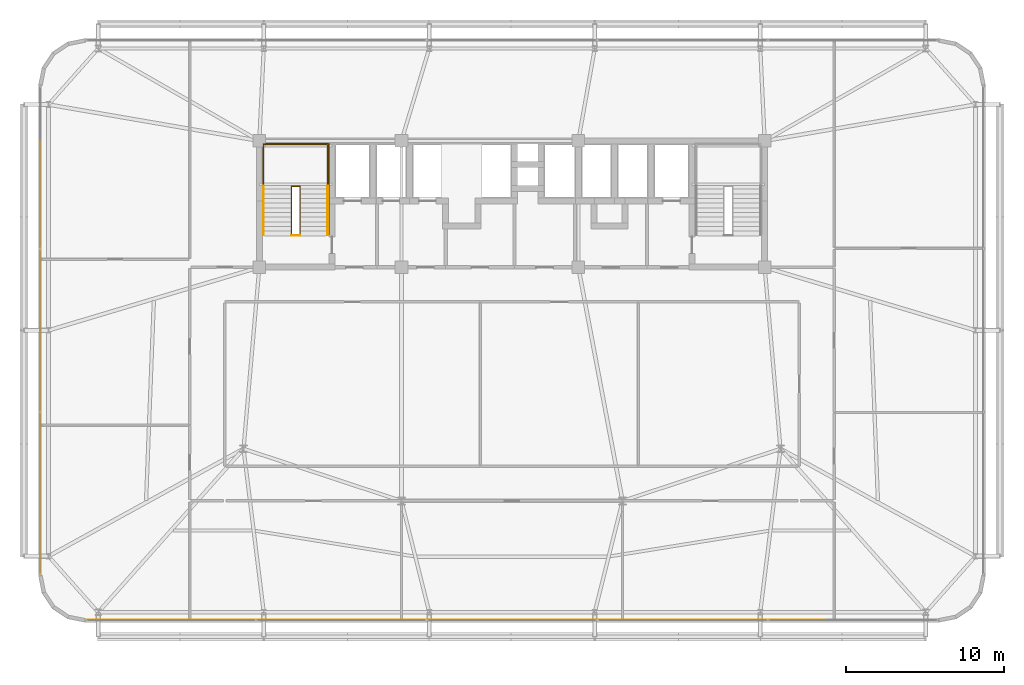
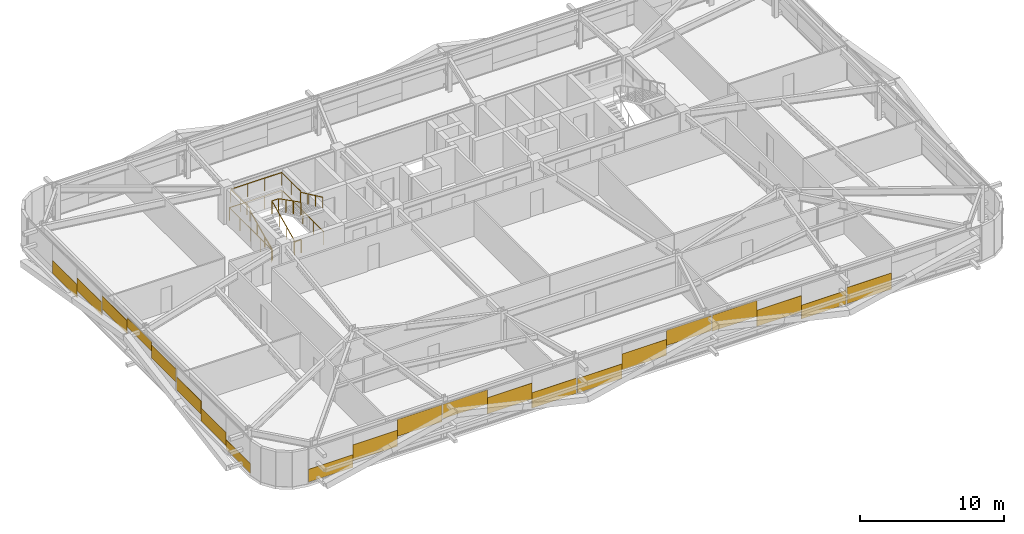
# One storey, part 42 of 44: 21 coverings, 6 railings.
"""IFC4 building model written with IfcOpenShell, lengths in metres."""

from ifc_helpers import new_model, si_unit, direction, frame, origin, origin_2d, place, context, subcontext, project, spatial, rectangle, extrude, source, transform, mapped, material, layer, layer_set, type_object, element, save


model = new_model("IFC4")

# Units and contexts
model_context = context("Model", 3, precision=1e-05, world=origin(), true_north=direction((0.0, 1.0)))
body_context = subcontext(model_context, "Body", "Model", "MODEL_VIEW")
ifc_project = project(units=[si_unit("LENGTHUNIT", "METRE"), si_unit("AREAUNIT", "SQUARE_METRE"), si_unit("VOLUMEUNIT", "CUBIC_METRE"), si_unit("PLANEANGLEUNIT", "RADIAN"), si_unit("MASSUNIT", "GRAM", prefix="KILO")], contexts=[model_context])

# Site, building, storey
site_placement = place(None, origin())
site = spatial("IfcSite", under=ifc_project, at=site_placement, CompositionType="ELEMENT")
building_placement = place(site_placement, origin())
building = spatial("IfcBuilding", under=site, at=building_placement, Name="Taldren Reach Tower", CompositionType="ELEMENT")
storey_placement = place(building_placement, frame((0.0, 0.0, 42.0)))
storey = spatial("IfcBuildingStorey", under=building, at=storey_placement, Name="L12", CompositionType="ELEMENT", Elevation=42.0)

# Railings
ifc_material_1 = material(Name="Steel Gr 350 (C350L0)", Category="steel")
ifc_layer_1 = layer(ifc_material_1, 0.050048828125)
ifc_layer_set_1 = layer_set([ifc_layer_1], Name="Steel Gr 350 (C350L0)")
railing_type_1 = type_object("IfcRailingType", Name="RL-STAIR-GR", PredefinedType="GUARDRAIL", material=ifc_layer_set_1)
railing_1_placement = place(storey_placement, frame((19.260009765625, 29.135009765625, 1.574951171875)))
element("IfcRailing", 1, at=railing_1_placement, inside=storey, type_object=railing_type_1, Name="Stair half-landing perimeter guard ST1-L12", PredefinedType="GUARDRAIL", context=body_context, shape_type="SweptSolid", body=[
    extrude(rectangle(XDim=0.047852, YDim=0.047852, at=origin_2d()), frame((0.0, 0.0, 1.09619140625), z_axis=(0.0, 1.0, 0.0), x_axis=(-1.0, 0.0, 0.0)), (0.0, 0.0, 1.0), 2.64501953125),
    extrude(rectangle(XDim=0.047852, YDim=0.047852, at=origin_2d()), frame((0.0, 2.64501953125, 1.09619140625), z_axis=(1.0, 0.0, 0.0), x_axis=(0.0, 1.0, 0.0)), (0.0, 0.0, 1.0), 4.080078125),
    extrude(rectangle(XDim=0.047852, YDim=0.047852, at=origin_2d()), frame((4.080078125, 2.64501953125, 1.09619140625), z_axis=(0.0, -1.0, 0.0), x_axis=(1.0, 0.0, 0.0)), (0.0, 0.0, 1.0), 2.64501953125),
    extrude(rectangle(XDim=0.041992, YDim=0.041992, at=origin_2d()), origin(), (0.0, 0.0, 1.0), 1.072021484375),
    extrude(rectangle(XDim=0.041992, YDim=0.041992, at=origin_2d()), frame((0.0, 1.322509765625, 0.0)), (0.0, 0.0, 1.0), 1.072021484375),
    extrude(rectangle(XDim=0.041992, YDim=0.041992, at=origin_2d()), frame((0.0, 2.64501953125, 0.0)), (0.0, 0.0, 1.0), 1.072021484375),
    extrude(rectangle(XDim=0.041992, YDim=0.041992, at=origin_2d()), frame((1.360107421875, 2.64501953125, 0.0)), (0.0, 0.0, 1.0), 1.072021484375),
    extrude(rectangle(XDim=0.041992, YDim=0.041992, at=origin_2d()), frame((2.719970703125, 2.64501953125, 0.0)), (0.0, 0.0, 1.0), 1.072021484375),
    extrude(rectangle(XDim=0.041992, YDim=0.041992, at=origin_2d()), frame((4.080078125, 2.64501953125, 0.0)), (0.0, 0.0, 1.0), 1.072021484375),
    extrude(rectangle(XDim=0.041992, YDim=0.041992, at=origin_2d()), frame((4.080078125, 1.322509765625, 0.0)), (0.0, 0.0, 1.0), 1.072021484375),
    extrude(rectangle(XDim=0.041992, YDim=0.041992, at=origin_2d()), frame((4.080078125, 0.0, 0.0)), (0.0, 0.0, 1.0), 1.072021484375),
])
railing_2_placement = place(storey_placement, frame((21.030029296875, 26.050048828125, 0.13134765625)))
element("IfcRailing", 2, at=railing_2_placement, inside=storey, type_object=railing_type_1, Name="Stairwell inner guard ST1-L12", PredefinedType="GUARDRAIL", context=body_context, shape_type="SweptSolid", body=[
    extrude(rectangle(XDim=0.047852, YDim=0.047852, at=origin_2d()), frame((0.0, 0.0, 1.09619140625), z_axis=(0.0, 0.905737652094, 0.423838773095), x_axis=(-1.0, 0.0, 0.0)), (0.0, 0.0, 1.0), 3.406005859375),
    extrude(rectangle(XDim=0.047852, YDim=0.047852, at=origin_2d()), frame((0.0, 3.0849609375, 2.53955078125), z_axis=(1.0, 0.0, 0.0), x_axis=(0.0, 1.0, 0.0)), (0.0, 0.0, 1.0), 0.5400390625),
    extrude(rectangle(XDim=0.047852, YDim=0.047852, at=origin_2d()), frame((0.5400390625, 3.0849609375, 2.53955078125), z_axis=(0.0, -0.890645957773, 0.45469745755), x_axis=(1.0, 0.0, 0.0)), (0.0, 0.0, 1.0), 3.463623046875),
    extrude(rectangle(XDim=0.041992, YDim=0.041992, at=origin_2d()), origin(), (0.0, 0.0, 1.0), 1.072021484375),
    extrude(rectangle(XDim=0.041992, YDim=0.041992, at=origin_2d()), frame((0.0, 1.0283203125, 0.481201171875)), (0.0, 0.0, 1.0), 1.072021484375),
    extrude(rectangle(XDim=0.041992, YDim=0.041992, at=origin_2d()), frame((0.0, 2.056640625, 0.96240234375)), (0.0, 0.0, 1.0), 1.072021484375),
    extrude(rectangle(XDim=0.041992, YDim=0.041992, at=origin_2d()), frame((0.0, 3.0849609375, 1.443603515625)), (0.0, 0.0, 1.0), 1.072021484375),
    extrude(rectangle(XDim=0.041992, YDim=0.041992, at=origin_2d()), frame((0.5400390625, 3.0849609375, 1.443603515625)), (0.0, 0.0, 1.0), 1.072021484375),
    extrude(rectangle(XDim=0.041992, YDim=0.041992, at=origin_2d()), frame((0.5400390625, 2.056640625, 1.968505859375)), (0.0, 0.0, 1.0), 1.072021484375),
    extrude(rectangle(XDim=0.041992, YDim=0.041992, at=origin_2d()), frame((0.5400390625, 1.0283203125, 2.49365234375)), (0.0, 0.0, 1.0), 1.072021484375),
    extrude(rectangle(XDim=0.041992, YDim=0.041992, at=origin_2d()), frame((0.5400390625, 0.0, 3.0185546875)), (0.0, 0.0, 1.0), 1.072021484375),
])
railing_3_placement = place(storey_placement, frame((21.030029296875, 26.010009765625, 0.0)))
element("IfcRailing", 3, at=railing_3_placement, inside=storey, type_object=railing_type_1, Name="Stairwell landing slot guard ST1-L12", PredefinedType="GUARDRAIL", context=body_context, shape_type="SweptSolid", body=[
    extrude(rectangle(XDim=0.047852, YDim=0.047852, at=origin_2d()), frame((0.0, 0.0, 1.09619140625), z_axis=(1.0, 0.0, 0.0), x_axis=(0.0, 1.0, 0.0)), (0.0, 0.0, 1.0), 0.5400390625),
    extrude(rectangle(XDim=0.041992, YDim=0.041992, at=origin_2d()), origin(), (0.0, 0.0, 1.0), 1.072021484375),
    extrude(rectangle(XDim=0.041992, YDim=0.041992, at=origin_2d()), frame((0.5400390625, 0.0, 0.0)), (0.0, 0.0, 1.0), 1.072021484375),
])
railing_4_placement = place(storey_placement, frame((19.18994140625, 26.050048828125, 0.0)))
element("IfcRailing", 4, at=railing_4_placement, inside=storey, type_object=railing_type_1, Name="Stairwell floor opening guard ST1-L12", PredefinedType="GUARDRAIL", context=body_context, shape_type="SweptSolid", body=[
    extrude(rectangle(XDim=0.047852, YDim=0.047852, at=origin_2d()), frame((0.0, 0.0, 1.09619140625), z_axis=(0.0, 1.0, 0.0), x_axis=(-1.0, 0.0, 0.0)), (0.0, 0.0, 1.0), 5.800048828125),
    extrude(rectangle(XDim=0.047852, YDim=0.047852, at=origin_2d()), frame((0.0, 5.800048828125, 1.09619140625), z_axis=(1.0, 0.0, 0.0), x_axis=(0.0, 1.0, 0.0)), (0.0, 0.0, 1.0), 4.219970703125),
    extrude(rectangle(XDim=0.047852, YDim=0.047852, at=origin_2d()), frame((4.219970703125, 5.800048828125, 1.09619140625), z_axis=(0.0, -1.0, 0.0), x_axis=(1.0, 0.0, 0.0)), (0.0, 0.0, 1.0), 5.800048828125),
    extrude(rectangle(XDim=0.041992, YDim=0.041992, at=origin_2d()), origin(), (0.0, 0.0, 1.0), 1.072021484375),
    extrude(rectangle(XDim=0.041992, YDim=0.041992, at=origin_2d()), frame((0.0, 1.449951171875, 0.0)), (0.0, 0.0, 1.0), 1.072021484375),
    extrude(rectangle(XDim=0.041992, YDim=0.041992, at=origin_2d()), frame((0.0, 2.89990234375, 0.0)), (0.0, 0.0, 1.0), 1.072021484375),
    extrude(rectangle(XDim=0.041992, YDim=0.041992, at=origin_2d()), frame((0.0, 4.35009765625, 0.0)), (0.0, 0.0, 1.0), 1.072021484375),
    extrude(rectangle(XDim=0.041992, YDim=0.041992, at=origin_2d()), frame((0.0, 5.800048828125, 0.0)), (0.0, 0.0, 1.0), 1.072021484375),
    extrude(rectangle(XDim=0.041992, YDim=0.041992, at=origin_2d()), frame((1.40673828125, 5.800048828125, 0.0)), (0.0, 0.0, 1.0), 1.072021484375),
    extrude(rectangle(XDim=0.041992, YDim=0.041992, at=origin_2d()), frame((2.813232421875, 5.800048828125, 0.0)), (0.0, 0.0, 1.0), 1.072021484375),
    extrude(rectangle(XDim=0.041992, YDim=0.041992, at=origin_2d()), frame((4.219970703125, 5.800048828125, 0.0)), (0.0, 0.0, 1.0), 1.072021484375),
    extrude(rectangle(XDim=0.041992, YDim=0.041992, at=origin_2d()), frame((4.219970703125, 4.35009765625, 0.0)), (0.0, 0.0, 1.0), 1.072021484375),
    extrude(rectangle(XDim=0.041992, YDim=0.041992, at=origin_2d()), frame((4.219970703125, 2.89990234375, 0.0)), (0.0, 0.0, 1.0), 1.072021484375),
    extrude(rectangle(XDim=0.041992, YDim=0.041992, at=origin_2d()), frame((4.219970703125, 1.449951171875, 0.0)), (0.0, 0.0, 1.0), 1.072021484375),
    extrude(rectangle(XDim=0.041992, YDim=0.041992, at=origin_2d()), frame((4.219970703125, 0.0, 0.0)), (0.0, 0.0, 1.0), 1.072021484375),
])
ifc_material_2 = material(Name="Stainless Steel Gr 316", Category="steel")
ifc_layer_2 = layer(ifc_material_2, 0.048095703125)
ifc_layer_set_2 = layer_set([ifc_layer_2], Name="Stainless Steel Gr 316")
railing_type_2 = type_object("IfcRailingType", Name="RL-STAIR-HR", PredefinedType="HANDRAIL", material=ifc_layer_set_2)
railing_5_placement = place(storey_placement, frame((19.27001953125, 26.050048828125, 0.13134765625)))
element("IfcRailing", 5, at=railing_5_placement, inside=storey, type_object=railing_type_2, Name="Stair flight handrail ST1-L12-1", PredefinedType="HANDRAIL", context=body_context, shape_type="SweptSolid", body=[
    extrude(rectangle(XDim=0.047852, YDim=0.047852, at=origin_2d()), frame((0.0, 0.0, 0.89599609375), z_axis=(0.0, 0.905737652094, 0.423838773095), x_axis=(-1.0, 0.0, 0.0)), (0.0, 0.0, 1.0), 3.406005859375),
    extrude(rectangle(XDim=0.041992, YDim=0.041992, at=origin_2d()), origin(), (0.0, 0.0, 1.0), 0.871826171875),
    extrude(rectangle(XDim=0.041992, YDim=0.041992, at=origin_2d()), frame((0.0, 1.0283203125, 0.481201171875)), (0.0, 0.0, 1.0), 0.871826171875),
    extrude(rectangle(XDim=0.041992, YDim=0.041992, at=origin_2d()), frame((0.0, 2.056640625, 0.96240234375)), (0.0, 0.0, 1.0), 0.871826171875),
    extrude(rectangle(XDim=0.041992, YDim=0.041992, at=origin_2d()), frame((0.0, 3.0849609375, 1.443603515625)), (0.0, 0.0, 1.0), 0.871826171875),
])
railing_6_placement = place(storey_placement, frame((23.330078125, 29.135009765625, 1.706298828125)))
element("IfcRailing", 6, at=railing_6_placement, inside=storey, type_object=railing_type_2, Name="Stair flight handrail ST1-L12-2", PredefinedType="HANDRAIL", context=body_context, shape_type="SweptSolid", body=[
    extrude(rectangle(XDim=0.047852, YDim=0.047852, at=origin_2d()), frame((0.0, 0.0, 0.89599609375), z_axis=(0.0, -0.905737652094, 0.423838773095), x_axis=(1.0, 0.0, 0.0)), (0.0, 0.0, 1.0), 3.406005859375),
    extrude(rectangle(XDim=0.041992, YDim=0.041992, at=origin_2d()), origin(), (0.0, 0.0, 1.0), 0.871826171875),
    extrude(rectangle(XDim=0.041992, YDim=0.041992, at=origin_2d()), frame((0.0, -1.0283203125, 0.481201171875)), (0.0, 0.0, 1.0), 0.871826171875),
    extrude(rectangle(XDim=0.041992, YDim=0.041992, at=origin_2d()), frame((0.0, -2.056640625, 0.96240234375)), (0.0, 0.0, 1.0), 0.871826171875),
    extrude(rectangle(XDim=0.041992, YDim=0.041992, at=origin_2d()), frame((0.0, -3.0849609375, 1.443603515625)), (0.0, 0.0, 1.0), 0.871826171875),
])

# Coverings
ifc_material_3 = material(Name="Pale Champagne Fluoropolymer Aluminium Spandrel Cladding", Category="aluminium")
ifc_layer_3 = layer(ifc_material_3, 0.0439453125)
ifc_layer_set_3 = layer_set([ifc_layer_3], Name="Pale Champagne Fluoropolymer Aluminium Spandrel Cladding")
covering_type = type_object("IfcCoveringType", Name="CV-CLAD-044", PredefinedType="CLADDING", material=ifc_layer_set_3)
shared_shape_1 = source(origin(), body_context, "Body", "SweptSolid", [
    extrude(rectangle(XDim=3.5673828125, YDim=0.0439453125, at=origin_2d()), origin(), (0.0, 0.0, 1.0), 1.088623046875),
])
covering_1_placement = place(storey_placement, frame((9.8486328125, 1.639892578125, 0.05517578125), z_axis=(0.0, 0.0, 1.0), x_axis=(1.0, 0.0, 0.0)))
element("IfcCovering", 7, at=covering_1_placement, inside=storey, type_object=covering_type, Name="Diagrid closure cladding strip CW-2 panel 1.1 1", PredefinedType="CLADDING", context=body_context, shape_type="MappedRepresentation", body=[
    mapped(shared_shape_1, transform((0.0, 0.0, 0.0), scale=1.0)),
])
shared_shape_2 = source(origin(), body_context, "Body", "SweptSolid", [
    extrude(rectangle(XDim=3.5673828125, YDim=0.0439453125, at=origin_2d()), origin(), (0.0, 0.0, 1.0), 1.36083984375),
])
covering_2_placement = place(storey_placement, frame((13.416259765625, 1.639892578125, 0.60986328125), z_axis=(0.0, 0.0, 1.0), x_axis=(1.0, 0.0, 0.0)))
element("IfcCovering", 8, at=covering_2_placement, inside=storey, type_object=covering_type, Name="Diagrid closure cladding strip CW-2 panel 1.1 2", PredefinedType="CLADDING", context=body_context, shape_type="MappedRepresentation", body=[
    mapped(shared_shape_2, transform((0.0, 0.0, 0.0), scale=1.0)),
])
shared_shape_3 = source(origin(), body_context, "Body", "SweptSolid", [
    extrude(rectangle(XDim=3.5673828125, YDim=0.0439453125, at=origin_2d()), origin(), (0.0, 0.0, 1.0), 1.437744140625),
])
covering_3_placement = place(storey_placement, frame((16.983642578125, 1.639892578125, 1.43701171875), z_axis=(0.0, 0.0, 1.0), x_axis=(1.0, 0.0, 0.0)))
element("IfcCovering", 9, at=covering_3_placement, inside=storey, type_object=covering_type, Name="Diagrid closure cladding strip CW-2 panel 1.1 3", PredefinedType="CLADDING", context=body_context, shape_type="MappedRepresentation", body=[
    mapped(shared_shape_3, transform((0.0, 0.0, 0.0), scale=1.0)),
])
shared_shape_4 = source(origin(), body_context, "Body", "SweptSolid", [
    extrude(rectangle(XDim=3.578369140625, YDim=0.0439453125, at=origin_2d()), origin(), (0.0, 0.0, 1.0), 1.2177734375),
])
covering_4_placement = place(storey_placement, frame((20.62158203125, 1.639892578125, 1.6572265625), z_axis=(0.0, 0.0, 1.0), x_axis=(1.0, 0.0, 0.0)))
element("IfcCovering", 10, at=covering_4_placement, inside=storey, type_object=covering_type, Name="Diagrid closure cladding strip CW-2 panel 2.1 1", PredefinedType="CLADDING", context=body_context, shape_type="MappedRepresentation", body=[
    mapped(shared_shape_4, transform((0.0, 0.0, 0.0), scale=1.0)),
])
shared_shape_5 = source(origin(), body_context, "Body", "SweptSolid", [
    extrude(rectangle(XDim=3.578369140625, YDim=0.0439453125, at=origin_2d()), origin(), (0.0, 0.0, 1.0), 1.36328125),
])
for number, where, z_axis, x_axis, name in (
    (11, (24.199951171875, 1.639892578125, 0.82763671875), (0.0, 0.0, 1.0), (1.0, 0.0, 0.0), "Diagrid closure cladding strip CW-2 panel 2.1 2"),
    (12, (35.0, 1.639892578125, 0.75341796875), (0.0, 0.0, 1.0), (1.0, 0.0, 0.0), "Diagrid closure cladding strip CW-2 panel 3.1 2"),
    (13, (45.800048828125, 1.639892578125, 0.67919921875), (0.0, 0.0, 1.0), (1.0, 0.0, 0.0), "Diagrid closure cladding strip CW-2 panel 4.1 2"),
):
    element("IfcCovering", number, at=place(storey_placement, frame(where, z_axis=z_axis, x_axis=x_axis)), inside=storey, type_object=covering_type, Name=name, PredefinedType="CLADDING", context=body_context, shape_type="MappedRepresentation", body=[
        mapped(shared_shape_5, transform((0.0, 0.0, 0.0), scale=1.0)),
    ])
shared_shape_6 = source(origin(), body_context, "Body", "SweptSolid", [
    extrude(rectangle(XDim=3.578369140625, YDim=0.0439453125, at=origin_2d()), origin(), (0.0, 0.0, 1.0), 1.30615234375),
])
covering_5_placement = place(storey_placement, frame((27.7783203125, 1.639892578125, 0.054931640625), z_axis=(0.0, 0.0, 1.0), x_axis=(1.0, 0.0, 0.0)))
element("IfcCovering", 14, at=covering_5_placement, inside=storey, type_object=covering_type, Name="Diagrid closure cladding strip CW-2 panel 2.1 3", PredefinedType="CLADDING", context=body_context, shape_type="MappedRepresentation", body=[
    mapped(shared_shape_6, transform((0.0, 0.0, 0.0), scale=1.0)),
])
shared_shape_7 = source(origin(), body_context, "Body", "SweptSolid", [
    extrude(rectangle(XDim=3.578369140625, YDim=0.0439453125, at=origin_2d()), origin(), (0.0, 0.0, 1.0), 1.23193359375),
])
covering_6_placement = place(storey_placement, frame((31.421630859375, 1.639892578125, 0.054931640625), z_axis=(0.0, 0.0, 1.0), x_axis=(1.0, 0.0, 0.0)))
element("IfcCovering", 15, at=covering_6_placement, inside=storey, type_object=covering_type, Name="Diagrid closure cladding strip CW-2 panel 3.1 1", PredefinedType="CLADDING", context=body_context, shape_type="MappedRepresentation", body=[
    mapped(shared_shape_7, transform((0.0, 0.0, 0.0), scale=1.0)),
])
shared_shape_8 = source(origin(), body_context, "Body", "SweptSolid", [
    extrude(rectangle(XDim=3.578369140625, YDim=0.0439453125, at=origin_2d()), origin(), (0.0, 0.0, 1.0), 1.2919921875),
])
covering_7_placement = place(storey_placement, frame((38.578369140625, 1.639892578125, 1.5830078125), z_axis=(0.0, 0.0, 1.0), x_axis=(1.0, 0.0, 0.0)))
element("IfcCovering", 16, at=covering_7_placement, inside=storey, type_object=covering_type, Name="Diagrid closure cladding strip CW-2 panel 3.1 3", PredefinedType="CLADDING", context=body_context, shape_type="MappedRepresentation", body=[
    mapped(shared_shape_8, transform((0.0, 0.0, 0.0), scale=1.0)),
])
shared_shape_9 = source(origin(), body_context, "Body", "SweptSolid", [
    extrude(rectangle(XDim=3.578369140625, YDim=0.0439453125, at=origin_2d()), origin(), (0.0, 0.0, 1.0), 1.3662109375),
])
covering_8_placement = place(storey_placement, frame((42.2216796875, 1.639892578125, 1.5087890625), z_axis=(0.0, 0.0, 1.0), x_axis=(1.0, 0.0, 0.0)))
element("IfcCovering", 17, at=covering_8_placement, inside=storey, type_object=covering_type, Name="Diagrid closure cladding strip CW-2 panel 4.1 1", PredefinedType="CLADDING", context=body_context, shape_type="MappedRepresentation", body=[
    mapped(shared_shape_9, transform((0.0, 0.0, 0.0), scale=1.0)),
])
shared_shape_10 = source(origin(), body_context, "Body", "SweptSolid", [
    extrude(rectangle(XDim=3.578369140625, YDim=0.0439453125, at=origin_2d()), origin(), (0.0, 0.0, 1.0), 1.15771484375),
])
covering_9_placement = place(storey_placement, frame((49.37841796875, 1.639892578125, 0.054931640625), z_axis=(0.0, 0.0, 1.0), x_axis=(1.0, 0.0, 0.0)))
element("IfcCovering", 18, at=covering_9_placement, inside=storey, type_object=covering_type, Name="Diagrid closure cladding strip CW-2 panel 4.1 3", PredefinedType="CLADDING", context=body_context, shape_type="MappedRepresentation", body=[
    mapped(shared_shape_10, transform((0.0, 0.0, 0.0), scale=1.0)),
])
shared_shape_11 = source(origin(), body_context, "Body", "SweptSolid", [
    extrude(rectangle(XDim=3.5673828125, YDim=0.0439453125, at=origin_2d()), origin(), (0.0, 0.0, 1.0), 1.377685546875),
])
covering_10_placement = place(storey_placement, frame((53.016357421875, 1.639892578125, 0.05517578125), z_axis=(0.0, 0.0, 1.0), x_axis=(1.0, 0.0, 0.0)))
element("IfcCovering", 19, at=covering_10_placement, inside=storey, type_object=covering_type, Name="Diagrid closure cladding strip CW-2 panel 5.1 1", PredefinedType="CLADDING", context=body_context, shape_type="MappedRepresentation", body=[
    mapped(shared_shape_11, transform((0.0, 0.0, 0.0), scale=1.0)),
])
shared_shape_12 = source(origin(), body_context, "Body", "SweptSolid", [
    extrude(rectangle(XDim=3.411865234375, YDim=0.0439453125, at=origin_2d()), origin(), (0.0, 0.0, 1.0), 1.107177734375),
])
for number, where, z_axis, x_axis, name in (
    (20, (5.139892578125, 30.317138671875, 0.34326171875), (0.0, 0.0, 1.0), (0.0, -1.0, 0.0), "Diagrid closure cladding strip CW-2 panel 1.1 2"),
    (21, (5.139892578125, 26.905029296875, 0.9228515625), (0.0, 0.0, 1.0), (0.0, -1.0, 0.0), "Diagrid closure cladding strip CW-2 panel 1.1 3"),
    (22, (5.139892578125, 13.094970703125, 0.9228515625), (0.0, 0.0, 1.0), (0.0, -1.0, 0.0), "Diagrid closure cladding strip CW-2 panel 3.1 1"),
    (23, (5.139892578125, 9.682861328125, 0.34326171875), (0.0, 0.0, 1.0), (0.0, -1.0, 0.0), "Diagrid closure cladding strip CW-2 panel 3.1 2"),
):
    element("IfcCovering", number, at=place(storey_placement, frame(where, z_axis=z_axis, x_axis=x_axis)), inside=storey, type_object=covering_type, Name=name, PredefinedType="CLADDING", context=body_context, shape_type="MappedRepresentation", body=[
        mapped(shared_shape_12, transform((0.0, 0.0, 0.0), scale=1.0)),
    ])
shared_shape_13 = source(origin(), body_context, "Body", "SweptSolid", [
    extrude(rectangle(XDim=3.411865234375, YDim=0.0439453125, at=origin_2d()), origin(), (0.0, 0.0, 1.0), 0.815673828125),
])
covering_11_placement = place(storey_placement, frame((5.139892578125, 6.27099609375, 0.05517578125), z_axis=(0.0, 0.0, 1.0), x_axis=(0.0, -1.0, 0.0)))
element("IfcCovering", 24, at=covering_11_placement, inside=storey, type_object=covering_type, Name="Diagrid closure cladding strip CW-2 panel 3.1 3", PredefinedType="CLADDING", context=body_context, shape_type="MappedRepresentation", body=[
    mapped(shared_shape_13, transform((0.0, 0.0, 0.0), scale=1.0)),
])
shared_shape_14 = source(origin(), body_context, "Body", "SweptSolid", [
    extrude(rectangle(XDim=3.4228515625, YDim=0.0439453125, at=origin_2d()), origin(), (0.0, 0.0, 1.0), 1.10888671875),
])
for number, where, z_axis, x_axis, name in (
    (25, (5.139892578125, 23.4228515625, 1.513916015625), (0.0, 0.0, 1.0), (0.0, -1.0, 0.0), "Diagrid closure cladding strip CW-2 panel 2.1 1"),
    (26, (5.139892578125, 16.5771484375, 1.513916015625), (0.0, 0.0, 1.0), (0.0, -1.0, 0.0), "Diagrid closure cladding strip CW-2 panel 2.1 3"),
):
    element("IfcCovering", number, at=place(storey_placement, frame(where, z_axis=z_axis, x_axis=x_axis)), inside=storey, type_object=covering_type, Name=name, PredefinedType="CLADDING", context=body_context, shape_type="MappedRepresentation", body=[
        mapped(shared_shape_14, transform((0.0, 0.0, 0.0), scale=1.0)),
    ])
shared_shape_15 = source(origin(), body_context, "Body", "SweptSolid", [
    extrude(rectangle(XDim=3.4228515625, YDim=0.0439453125, at=origin_2d()), origin(), (0.0, 0.0, 1.0), 0.779541015625),
])
covering_12_placement = place(storey_placement, frame((5.139892578125, 20.0, 2.095703125), z_axis=(0.0, 0.0, 1.0), x_axis=(0.0, -1.0, 0.0)))
element("IfcCovering", 27, at=covering_12_placement, inside=storey, type_object=covering_type, Name="Diagrid closure cladding strip CW-2 panel 2.1 2", PredefinedType="CLADDING", context=body_context, shape_type="MappedRepresentation", body=[
    mapped(shared_shape_15, transform((0.0, 0.0, 0.0), scale=1.0)),
])

save(model, "model.ifc")
